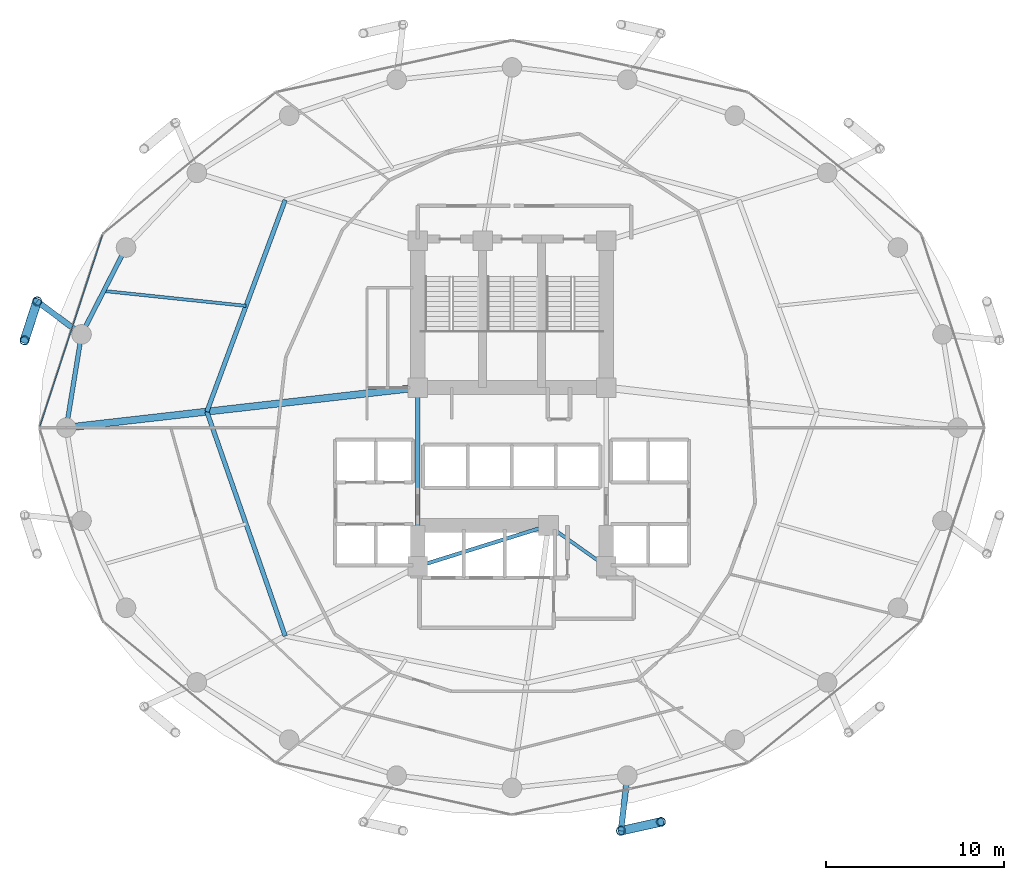
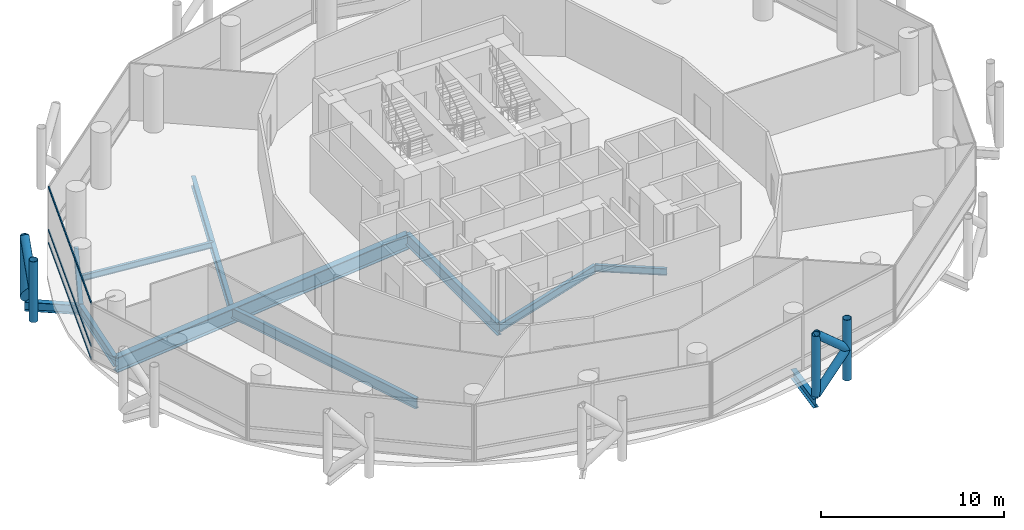
# One storey, part 7 of 24: 11 beams, 11 members, 1 element without a shape of its own.
"""IFC4 building model written with IfcOpenShell, lengths in metres."""

from ifc_helpers import new_model, si_unit, direction, frame, origin, origin_2d, place, context, subcontext, project, spatial, hollow_rectangle, hollow_circle, i_section, extrude, material, layer, layer_set, material_profile, profile_set, type_object, element, aggregate, save


model = new_model("IFC4")

# Units and contexts
model_context = context("Model", 3, precision=1e-05, world=origin(), true_north=direction((0.0, 1.0)))
body_context = subcontext(model_context, "Body", "Model", "MODEL_VIEW")
ifc_project = project(units=[si_unit("LENGTHUNIT", "METRE"), si_unit("AREAUNIT", "SQUARE_METRE"), si_unit("VOLUMEUNIT", "CUBIC_METRE"), si_unit("PLANEANGLEUNIT", "RADIAN"), si_unit("MASSUNIT", "GRAM", prefix="KILO")], contexts=[model_context])

# Site, building, storey
site_placement = place(None, origin())
site = spatial("IfcSite", under=ifc_project, at=site_placement, CompositionType="ELEMENT")
building_placement = place(site_placement, origin())
building = spatial("IfcBuilding", under=site, at=building_placement, Name="Nuhasar Tower", CompositionType="ELEMENT")
storey_placement = place(building_placement, frame((0.0, 0.0, 41.25)))
storey = spatial("IfcBuildingStorey", under=building, at=storey_placement, Name="L09", CompositionType="ELEMENT", Elevation=41.25)

# Beams
ifc_material_1 = material(Name="Steel S355", Category="steel")
ifc_material_profile_1 = material_profile(ifc_material_1, i_section(OverallWidth=0.25390625, OverallDepth=0.68408203125, WebThickness=0.012451171875, FlangeThickness=0.018798828125, at=origin_2d()), Name="W27X94")
ifc_profile_set_1 = profile_set([ifc_material_profile_1], Name="Steel S355")
beam_type_1 = type_object("IfcBeamType", Name="BM-INRING-W27X94", PredefinedType="BEAM", material=ifc_profile_set_1)
beam_1_placement = place(storey_placement, frame((26.251953125, 39.591064453125, -0.60205078125), z_axis=(-0.34715757476, -0.937806812881, 0.0), x_axis=(0.937806812881, -0.34715757476, 0.0)))
element("IfcBeam", 1, at=beam_1_placement, inside=storey, type_object=beam_type_1, Name="L09 Inner Header Beam 07", PredefinedType="BEAM", context=body_context, shape_type="SweptSolid", body=[
    extrude(i_section(OverallWidth=0.25390625, OverallDepth=0.68408203125, WebThickness=0.012451171875, FlangeThickness=0.018798828125, at=origin_2d()), origin(), (0.0, 0.0, 1.0), 12.6796875),
])
beam_2_placement = place(storey_placement, frame((21.85009765625, 27.699951171875, -0.60205078125), z_axis=(0.329554049858, -0.944136710558, 0.0), x_axis=(0.944136710558, 0.329554049858, 0.0)))
element("IfcBeam", 2, at=beam_2_placement, inside=storey, type_object=beam_type_1, Name="L09 Inner Header Beam 08", PredefinedType="BEAM", context=body_context, shape_type="SweptSolid", body=[
    extrude(i_section(OverallWidth=0.25390625, OverallDepth=0.68408203125, WebThickness=0.012451171875, FlangeThickness=0.018798828125, at=origin_2d()), origin(), (0.0, 0.0, 1.0), 13.35693359375),
])
ifc_material_profile_2 = material_profile(ifc_material_1, i_section(OverallWidth=0.177978515625, OverallDepth=0.406005859375, WebThickness=0.0078125, FlangeThickness=0.0126953125, at=origin_2d()), Name="W16X40")
ifc_profile_set_2 = profile_set([ifc_material_profile_2], Name="Steel S355")
beam_type_2 = type_object("IfcBeamType", Name="BM-JST-W16X40", PredefinedType="JOIST", material=ifc_profile_set_2)
beam_3_placement = place(storey_placement, frame((24.051025390625, 33.64501953125, -0.462890625), z_axis=(-0.994554594377, 0.104216883485, 0.0), x_axis=(-0.104216883485, -0.994554594377, 0.0)))
element("IfcBeam", 3, at=beam_3_placement, inside=storey, type_object=beam_type_2, Name="L09 Secondary Floor Joist 07", PredefinedType="JOIST", context=body_context, shape_type="SweptSolid", body=[
    extrude(i_section(OverallWidth=0.177978515625, OverallDepth=0.406005859375, WebThickness=0.0078125, FlangeThickness=0.0126953125, at=origin_2d()), origin(), (0.0, 0.0, 1.0), 8.039794921875),
])
ifc_material_profile_3 = material_profile(ifc_material_1, i_section(OverallWidth=0.18994140625, OverallDepth=0.45703125, WebThickness=0.009033203125, FlangeThickness=0.014404296875, at=origin_2d()), Name="W18X50")
ifc_profile_set_3 = profile_set([ifc_material_profile_3], Name="Steel S355")
beam_type_3 = type_object("IfcBeamType", Name="BM-RAD-W18X50", PredefinedType="BEAM", material=ifc_profile_set_3)
beam_4_placement = place(storey_placement, frame((41.050048828125, 21.300048828125, -0.488037109375), z_axis=(0.816265428953, -0.577677028708, 0.0), x_axis=(0.577677028708, 0.816265428953, 0.0)))
element("IfcBeam", 4, at=beam_4_placement, inside=storey, type_object=beam_type_3, Name="L09 Core Ring Girder 2", PredefinedType="BEAM", context=body_context, shape_type="SweptSolid", body=[
    extrude(i_section(OverallWidth=0.18994140625, OverallDepth=0.45703125, WebThickness=0.009033203125, FlangeThickness=0.014404296875, at=origin_2d()), origin(), (0.0, 0.0, 1.0), 3.9814453125),
])
ifc_material_profile_4 = material_profile(ifc_material_1, i_section(OverallWidth=0.208984375, OverallDepth=0.532958984375, WebThickness=0.01025390625, FlangeThickness=0.015625, at=origin_2d()), Name="W21X62")
ifc_profile_set_4 = profile_set([ifc_material_profile_4], Name="Steel S355")
beam_type_4 = type_object("IfcBeamType", Name="BM-RAD-W21X62", PredefinedType="BEAM", material=ifc_profile_set_4)
beam_5_placement = place(storey_placement, frame((33.699951171875, 19.0, -0.52587890625), z_axis=(0.954363709454, 0.298646798205, 0.0), x_axis=(-0.298646798205, 0.954363709454, 0.0)))
element("IfcBeam", 5, at=beam_5_placement, inside=storey, type_object=beam_type_4, Name="L09 Core Ring Girder 1", PredefinedType="BEAM", context=body_context, shape_type="SweptSolid", body=[
    extrude(i_section(OverallWidth=0.208984375, OverallDepth=0.532958984375, WebThickness=0.01025390625, FlangeThickness=0.015625, at=origin_2d()), origin(), (0.0, 0.0, 1.0), 7.70166015625),
])
ifc_material_profile_5 = material_profile(ifc_material_1, i_section(OverallWidth=0.26611328125, OverallDepth=0.779052734375, WebThickness=0.0166015625, FlangeThickness=0.030029296875, at=origin_2d()), Name="W30X148")
ifc_profile_set_5 = profile_set([ifc_material_profile_5], Name="Steel S355")
beam_type_5 = type_object("IfcBeamType", Name="BM-RAD-W30X148", PredefinedType="BEAM", material=ifc_profile_set_5)
beam_6_placement = place(storey_placement, frame((33.699951171875, 29.050048828125, -0.64892578125), z_axis=(0.0, -1.0, 0.0), x_axis=(1.0, 0.0, 0.0)))
element("IfcBeam", 6, at=beam_6_placement, inside=storey, type_object=beam_type_5, Name="L09 Core Ring Girder 8", PredefinedType="BEAM", context=body_context, shape_type="SweptSolid", body=[
    extrude(i_section(OverallWidth=0.26611328125, OverallDepth=0.779052734375, WebThickness=0.0166015625, FlangeThickness=0.030029296875, at=origin_2d()), origin(), (0.0, 0.0, 1.0), 10.050048828125),
])
ifc_material_profile_6 = material_profile(ifc_material_1, i_section(OverallWidth=0.256103515625, OverallDepth=0.693115234375, WebThickness=0.014404296875, FlangeThickness=0.023681640625, at=origin_2d()), Name="W27X114")
ifc_profile_set_6 = profile_set([ifc_material_profile_6], Name="Steel S355")
beam_type_6 = type_object("IfcBeamType", Name="BM-RING-W27X114", PredefinedType="SPANDREL", material=ifc_profile_set_6)
beam_7_placement = place(storey_placement, frame((17.305908203125, 36.925048828125, -0.60595703125), z_axis=(-0.455930023905, -0.890015625314, 0.0), x_axis=(0.890015625314, -0.455930023905, 0.0)))
element("IfcBeam", 7, at=beam_7_placement, inside=storey, type_object=beam_type_6, Name="L09 Perimeter Ring Spandrel 11", PredefinedType="SPANDREL", context=body_context, shape_type="SweptSolid", body=[
    extrude(i_section(OverallWidth=0.256103515625, OverallDepth=0.693115234375, WebThickness=0.014404296875, FlangeThickness=0.023681640625, at=origin_2d()), origin(), (0.0, 0.0, 1.0), 5.487548828125),
])
beam_8_placement = place(storey_placement, frame((14.803955078125, 32.041015625, -0.60595703125), z_axis=(-0.160826635486, -0.986982671235, 0.0), x_axis=(0.986982671235, -0.160826635486, 0.0)))
element("IfcBeam", 8, at=beam_8_placement, inside=storey, type_object=beam_type_6, Name="L09 Perimeter Ring Spandrel 12", PredefinedType="SPANDREL", context=body_context, shape_type="SweptSolid", body=[
    extrude(i_section(OverallWidth=0.256103515625, OverallDepth=0.693115234375, WebThickness=0.014404296875, FlangeThickness=0.023681640625, at=origin_2d()), origin(), (0.0, 0.0, 1.0), 5.31005859375),
])
ifc_material_profile_7 = material_profile(ifc_material_1, i_section(OverallWidth=0.323974609375, OverallDepth=0.611083984375, WebThickness=0.0126953125, FlangeThickness=0.01904296875, at=origin_2d()), Name="W24X104")
ifc_profile_set_7 = profile_set([ifc_material_profile_7], Name="Steel S355")
beam_type_7 = type_object("IfcBeamType", Name="BM-TIE-W24X104", PredefinedType="BEAM", material=ifc_profile_set_7)
beam_9_placement = place(storey_placement, frame((14.803955078125, 32.041015625, -0.56591796875), z_axis=(-0.802151061326, 0.597121155892, 0.0), x_axis=(-0.597121155892, -0.802151061326, 0.0)))
element("IfcBeam", 9, at=beam_9_placement, inside=storey, type_object=beam_type_7, Name="L09 Exoskeleton Node Tie Beam 06", PredefinedType="BEAM", context=body_context, shape_type="SweptSolid", body=[
    extrude(i_section(OverallWidth=0.323974609375, OverallDepth=0.611083984375, WebThickness=0.0126953125, FlangeThickness=0.01904296875, at=origin_2d()), origin(), (0.0, 0.0, 1.0), 3.111328125),
])
beam_10_placement = place(storey_placement, frame((45.48291015625, 7.239990234375, -0.56591796875), z_axis=(-0.115042934281, -0.993360520291, 0.0), x_axis=(0.993360520291, -0.115042934281, 0.0)))
element("IfcBeam", 10, at=beam_10_placement, inside=storey, type_object=beam_type_7, Name="L09 Exoskeleton Node Tie Beam 10", PredefinedType="BEAM", context=body_context, shape_type="SweptSolid", body=[
    extrude(i_section(OverallWidth=0.323974609375, OverallDepth=0.611083984375, WebThickness=0.0126953125, FlangeThickness=0.01904296875, at=origin_2d()), origin(), (0.0, 0.0, 1.0), 3.11962890625),
])
ifc_material_2 = material(Name="Steel S460", Category="steel")
ifc_material_profile_8 = material_profile(ifc_material_2, i_section(OverallWidth=0.40087890625, OverallDepth=1.010009765625, WebThickness=0.023681640625, FlangeThickness=0.0419921875, at=origin_2d()), Name="W40X297")
ifc_profile_set_8 = profile_set([ifc_material_profile_8], Name="Steel S460")
beam_type_8 = type_object("IfcBeamType", Name="BM-XFER-W40X297", PredefinedType="USERDEFINED", material=ifc_profile_set_8)
beam_11_placement = place(storey_placement, frame((33.699951171875, 29.050048828125, -0.764892578125), z_axis=(-0.993573147212, -0.113191877531, 0.0), x_axis=(0.113191877531, -0.993573147212, 0.0)))
element("IfcBeam", 11, at=beam_11_placement, inside=storey, type_object=beam_type_8, Name="L09 Radial Floor Girder 08", ObjectType="GIRDER", PredefinedType="USERDEFINED", context=body_context, shape_type="SweptSolid", body=[
    extrude(i_section(OverallWidth=0.40087890625, OverallDepth=1.010009765625, WebThickness=0.023681640625, FlangeThickness=0.0419921875, at=origin_2d()), origin(), (0.0, 0.0, 1.0), 19.877685546875),
])

# Curtain wall, members
ifc_material_3 = material(Name="Aluminium 6063-T6", Category="aluminium")
ifc_layer = layer(ifc_material_3, 0.199951171875)
ifc_layer_set = layer_set([ifc_layer], Name="Aluminium 6063-T6")
curtain_wall_type = type_object("IfcCurtainWallType", Name="CW-Z1-OFF", PredefinedType="NOTDEFINED", material=ifc_layer_set)
curtain_wall_placement = place(storey_placement, origin())
curtain_wall = element("IfcCurtainWall", 12, at=curtain_wall_placement, inside=storey, type_object=curtain_wall_type, Name="L09 Unitised Curtain Wall 06", PredefinedType="NOTDEFINED")
ifc_material_profile_9 = material_profile(ifc_material_3, hollow_rectangle(XDim=0.06494140625, YDim=0.14990234375, WallThickness=0.00439453125, at=origin_2d()), Name="CWT-2")
ifc_profile_set_9 = profile_set([ifc_material_profile_9], Name="Aluminium 6063-T6")
member_type_1 = type_object("IfcMemberType", Name="CW-TRN-S2", PredefinedType="USERDEFINED", material=ifc_profile_set_9)
member_1_placement = place(storey_placement, frame((15.977783203125, 37.6181640625, 0.032470703125), z_axis=(-0.31082506089, -0.950467138581, 0.0), x_axis=(0.950467138581, -0.31082506089, 0.0)))
member_1 = element("IfcMember", 13, at=member_1_placement, type_object=member_type_1, Name="CW-Z1 transom 1.1", ObjectType="TRANSOM", PredefinedType="USERDEFINED", context=body_context, shape_type="SweptSolid", body=[
    extrude(hollow_rectangle(XDim=0.06494140625, YDim=0.14990234375, WallThickness=0.00439453125, at=origin_2d()), origin(), (0.0, 0.0, 1.0), 11.31689453125),
])
member_2_placement = place(storey_placement, frame((15.977783203125, 37.6181640625, 0.89990234375), z_axis=(-0.31082506089, -0.950467138581, 0.0), x_axis=(0.950467138581, -0.31082506089, 0.0)))
member_2 = element("IfcMember", 14, at=member_2_placement, type_object=member_type_1, Name="CW-Z1 transom 1.2", ObjectType="TRANSOM", PredefinedType="USERDEFINED", context=body_context, shape_type="SweptSolid", body=[
    extrude(hollow_rectangle(XDim=0.06494140625, YDim=0.14990234375, WallThickness=0.00439453125, at=origin_2d()), origin(), (0.0, 0.0, 1.0), 11.31689453125),
])
member_3_placement = place(storey_placement, frame((15.977783203125, 37.6181640625, 3.757568359375), z_axis=(-0.31082506089, -0.950467138581, 0.0), x_axis=(0.950467138581, -0.31082506089, 0.0)))
member_3 = element("IfcMember", 15, at=member_3_placement, type_object=member_type_1, Name="CW-Z1 transom 1.3", ObjectType="TRANSOM", PredefinedType="USERDEFINED", context=body_context, shape_type="SweptSolid", body=[
    extrude(hollow_rectangle(XDim=0.06494140625, YDim=0.14990234375, WallThickness=0.00439453125, at=origin_2d()), origin(), (0.0, 0.0, 1.0), 11.31689453125),
])
aggregate(curtain_wall, [member_1, member_2, member_3])

# Members
ifc_material_profile_10 = material_profile(ifc_material_2, hollow_circle(Radius=0.25390625, WallThickness=0.025390625, at=origin_2d()), Name="HSS508X25.4")
ifc_profile_set_10 = profile_set([ifc_material_profile_10], Name="Steel S460")
member_type_2 = type_object("IfcMemberType", Name="EXO-BRONZE-508", PredefinedType="BRACE", material=ifc_profile_set_10)
for number, where, z_axis, x_axis, name in (
    (16, (12.30810546875, 33.89892578125, 0.0), (0.0, 0.0, 1.0), (1.0, 0.0, 0.0), "L09 Exoskeleton Chord Column EC-06A"),
    (17, (11.60009765625, 31.7099609375, 0.0), (0.0, 0.0, 1.0), (1.0, 0.0, 0.0), "L09 Exoskeleton Chord Column EC-06B"),
    (18, (45.1240234375, 4.14111328125, 0.0), (0.0, 0.0, 1.0), (1.0, 0.0, 0.0), "L09 Exoskeleton Chord Column EC-10A"),
    (19, (47.3701171875, 4.639892578125, 0.0), (0.0, 0.0, 1.0), (1.0, 0.0, 0.0), "L09 Exoskeleton Chord Column EC-10B"),
):
    element("IfcMember", number, at=place(storey_placement, frame(where, z_axis=z_axis, x_axis=x_axis)), inside=storey, type_object=member_type_2, Name=name, PredefinedType="BRACE", context=body_context, shape_type="SweptSolid", body=[
        extrude(hollow_circle(Radius=0.25390625, WallThickness=0.025390625, at=origin_2d()), origin(), (0.0, 0.0, 1.0), 4.050048828125),
    ])
member_4_placement = place(storey_placement, frame((12.30810546875, 33.89892578125, 0.0), z_axis=(-0.231011836313, -0.714224870475, 0.660693851854), x_axis=(0.951468282519, -0.307746823478, 0.0)))
element("IfcMember", 20, at=member_4_placement, inside=storey, type_object=member_type_2, Name="L09 Bronze Diagrid Brace W1-06", PredefinedType="BRACE", context=body_context, shape_type="SweptSolid", body=[
    extrude(hollow_circle(Radius=0.25390625, WallThickness=0.025390625, at=origin_2d()), origin(), (0.0, 0.0, 1.0), 3.064697265625),
])
for number, where, z_axis, x_axis, name in (
    (21, (11.60009765625, 31.7099609375, 2.02490234375), (0.230999678299, 0.714187281251, 0.660738734997), (-0.951468282519, 0.307746823478, 0.0), "L09 Bronze Diagrid Brace W2-06"),
    (22, (45.1240234375, 4.14111328125, 0.0), (0.732830973624, 0.162736269469, 0.66066305383), (-0.216784396973, 0.976219506683, 0.0), "L09 Bronze Diagrid Brace W1-10"),
):
    element("IfcMember", number, at=place(storey_placement, frame(where, z_axis=z_axis, x_axis=x_axis)), inside=storey, type_object=member_type_2, Name=name, PredefinedType="BRACE", context=body_context, shape_type="SweptSolid", body=[
        extrude(hollow_circle(Radius=0.25390625, WallThickness=0.025390625, at=origin_2d()), origin(), (0.0, 0.0, 1.0), 3.06494140625),
    ])
member_5_placement = place(storey_placement, frame((47.3701171875, 4.639892578125, 2.02490234375), z_axis=(-0.732792408767, -0.162727705556, 0.660707938122), x_axis=(0.216784396973, -0.976219506683, 0.0)))
element("IfcMember", 23, at=member_5_placement, inside=storey, type_object=member_type_2, Name="L09 Bronze Diagrid Brace W2-10", PredefinedType="BRACE", context=body_context, shape_type="SweptSolid", body=[
    extrude(hollow_circle(Radius=0.25390625, WallThickness=0.025390625, at=origin_2d()), origin(), (0.0, 0.0, 1.0), 3.065185546875),
])

save(model, "model.ifc")
